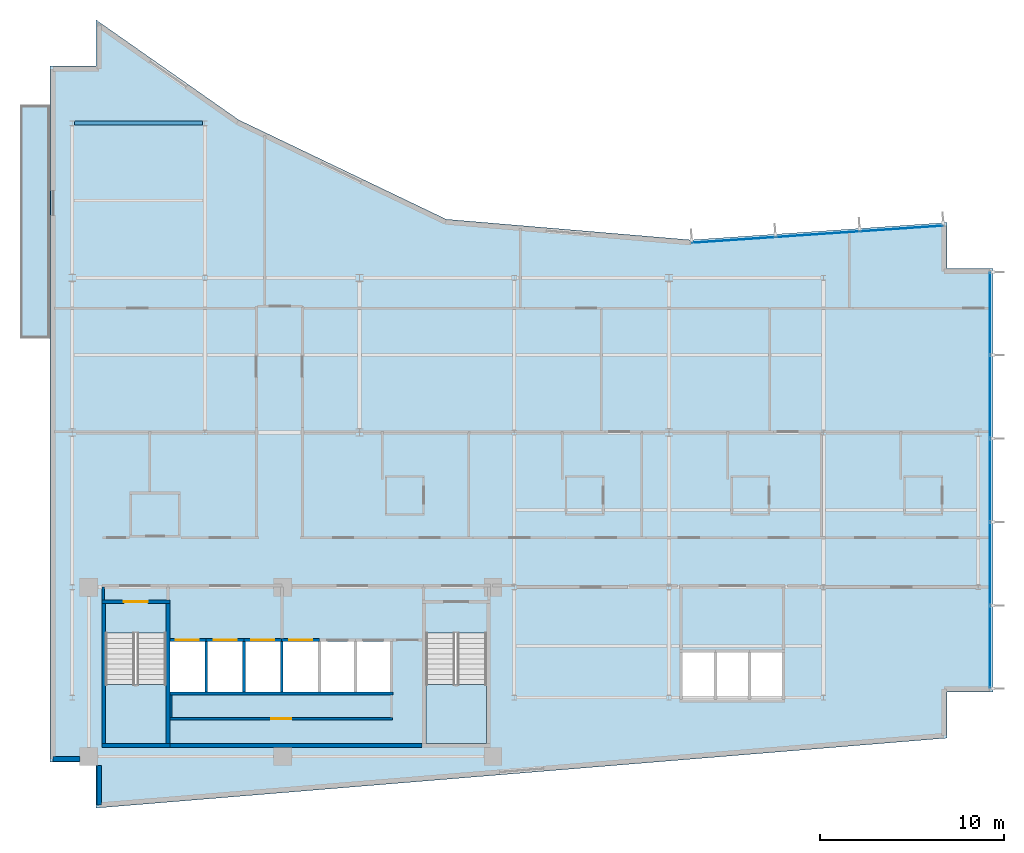
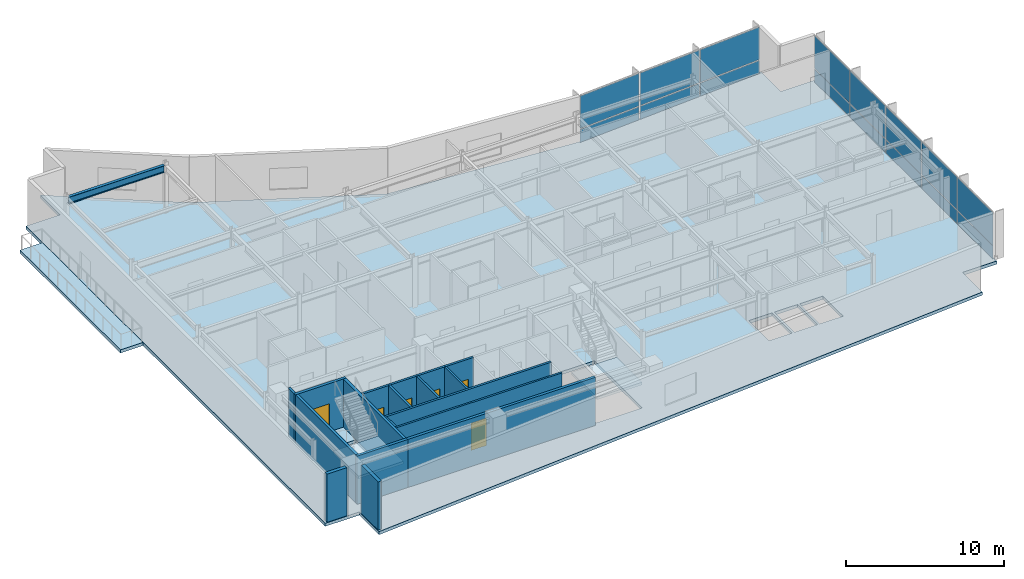
# One storey, part 10 of 17: 18 walls, 16 plates, 6 doors, 4 slabs, 1 beam, 6 openings, 4 elements without a shape of their own.
"""IFC4 building model written with IfcOpenShell, lengths in metres."""

from ifc_helpers import new_model, si_unit, direction, frame, frame_2d, origin, origin_2d, place, context, subcontext, project, spatial, polyline, rectangle, i_section, outline, extrude, material, layer, layer_set, material_profile, profile_set, type_object, element, fill, aggregate, save


model = new_model("IFC4")

# Units and contexts
model_context = context("Model", 3, precision=1e-05, world=origin(), true_north=direction((0.0, 1.0)))
body_context = subcontext(model_context, "Body", "Model", "MODEL_VIEW")
ifc_project = project(units=[si_unit("LENGTHUNIT", "METRE"), si_unit("AREAUNIT", "SQUARE_METRE"), si_unit("VOLUMEUNIT", "CUBIC_METRE"), si_unit("PLANEANGLEUNIT", "RADIAN"), si_unit("MASSUNIT", "GRAM", prefix="KILO")], contexts=[model_context])

# Site, building, storey
site_placement = place(None, origin())
site = spatial("IfcSite", under=ifc_project, at=site_placement, CompositionType="ELEMENT")
building_placement = place(site_placement, origin())
building = spatial("IfcBuilding", under=site, at=building_placement, Name="Varnakote Quay Hospital", CompositionType="ELEMENT")
storey_placement = place(building_placement, frame((0.0, 0.0, 184.199951171875)))
storey = spatial("IfcBuildingStorey", under=building, at=storey_placement, Name="L45", CompositionType="ELEMENT", Elevation=184.199951171875)

# Beam
ifc_material_1 = material(Name="Structural steel AS/NZS 3679.1 Grade 350 L0 (fy 340 MPa)", Category="steel")
ifc_material_profile = material_profile(ifc_material_1, i_section(OverallWidth=0.208984375, OverallDepth=0.532958984375, WebThickness=0.01025390625, FlangeThickness=0.015625, FilletRadius=0.013916015625, at=origin_2d()), Name="530UB92.4")
ifc_profile_set = profile_set([ifc_material_profile], Name="Structural steel AS/NZS 3679.1 Grade 350 L0 (fy 340 MPa)")
beam_type = type_object("IfcBeamType", Name="BM-STL-530UB92-4", PredefinedType="BEAM", material=ifc_profile_set)
beam_placement = place(storey_placement, frame((1.327880859375, 37.199951171875, 3.443603515625), z_axis=(1.0, 0.0, 0.0), x_axis=(0.0, 1.0, 0.0)))
element("IfcBeam", 1, at=beam_placement, inside=storey, type_object=beam_type, Name="L45 Primary Floor Beam", PredefinedType="BEAM", context=body_context, shape_type="SweptSolid", body=[
    extrude(i_section(OverallWidth=0.208984375, OverallDepth=0.532958984375, WebThickness=0.01025390625, FlangeThickness=0.015625, FilletRadius=0.013916015625, at=origin_2d()), origin(), (0.0, 0.0, 1.0), 6.944091796875),
])

# Curtain wall, plates
ifc_material_2 = material(Name="Anodised aluminium 6063-T6 Bronze", Category="aluminium")
ifc_layer_1 = layer(ifc_material_2, 0.219970703125)
ifc_layer_set_1 = layer_set([ifc_layer_1], Name="Anodised aluminium 6063-T6 Bronze")
curtain_wall_type = type_object("IfcCurtainWallType", Name="CW-SYS-4", PredefinedType="NOTDEFINED", material=ifc_layer_set_1)
curtain_wall_1_placement = place(storey_placement, origin())
curtain_wall_1 = element("IfcCurtainWall", 2, at=curtain_wall_1_placement, inside=storey, type_object=curtain_wall_type, Name="L45 Unitised Bronze Curtain Wall 1", PredefinedType="NOTDEFINED")
ifc_material_3 = material(Name="Double-glazed low-E solar glass", Category="glass")
ifc_layer_2 = layer(ifc_material_3, 0.028076171875)
ifc_layer_set_2 = layer_set([ifc_layer_2], Name="Double-glazed low-E solar glass")
plate_type = type_object("IfcPlateType", Name="CW-PNL-GLZ-28", PredefinedType="CURTAIN_PANEL", material=ifc_layer_set_2)
plate_1_placement = place(storey_placement, frame((51.0400390625, 8.744140625, 0.065185546875), z_axis=(0.0, 0.0, 1.0), x_axis=(0.0, 1.0, 0.0)))
plate_1 = element("IfcPlate", 3, at=plate_1_placement, type_object=plate_type, Name="-4-L45-1 panel 1.1", PredefinedType="CURTAIN_PANEL", context=body_context, shape_type="SweptSolid", body=[
    extrude(rectangle(XDim=4.4384765625, YDim=0.028076171875, at=origin_2d()), origin(), (0.0, 0.0, 1.0), 1.00244140625),
])
plate_2_placement = place(storey_placement, frame((51.0400390625, 8.744140625, 1.1328125), z_axis=(0.0, 0.0, 1.0), x_axis=(0.0, 1.0, 0.0)))
plate_2 = element("IfcPlate", 4, at=plate_2_placement, type_object=plate_type, Name="-4-L45-1 panel 1.2", PredefinedType="CURTAIN_PANEL", context=body_context, shape_type="SweptSolid", body=[
    extrude(rectangle(XDim=4.4384765625, YDim=0.028076171875, at=origin_2d()), origin(), (0.0, 0.0, 1.0), 2.512451171875),
])
plate_3_placement = place(storey_placement, frame((51.0400390625, 13.263916015625, 0.065185546875), z_axis=(0.0, 0.0, 1.0), x_axis=(0.0, 1.0, 0.0)))
plate_3 = element("IfcPlate", 5, at=plate_3_placement, type_object=plate_type, Name="-4-L45-1 panel 2.1", PredefinedType="CURTAIN_PANEL", context=body_context, shape_type="SweptSolid", body=[
    extrude(rectangle(XDim=4.470947265625, YDim=0.028076171875, at=origin_2d()), origin(), (0.0, 0.0, 1.0), 1.00244140625),
])
plate_4_placement = place(storey_placement, frame((51.0400390625, 13.263916015625, 1.1328125), z_axis=(0.0, 0.0, 1.0), x_axis=(0.0, 1.0, 0.0)))
plate_4 = element("IfcPlate", 6, at=plate_4_placement, type_object=plate_type, Name="-4-L45-1 panel 2.2", PredefinedType="CURTAIN_PANEL", context=body_context, shape_type="SweptSolid", body=[
    extrude(rectangle(XDim=4.470947265625, YDim=0.028076171875, at=origin_2d()), origin(), (0.0, 0.0, 1.0), 2.512451171875),
])
plate_5_placement = place(storey_placement, frame((51.0400390625, 17.800048828125, 0.065185546875), z_axis=(0.0, 0.0, 1.0), x_axis=(0.0, 1.0, 0.0)))
plate_5 = element("IfcPlate", 7, at=plate_5_placement, type_object=plate_type, Name="-4-L45-1 panel 3.1", PredefinedType="CURTAIN_PANEL", context=body_context, shape_type="SweptSolid", body=[
    extrude(rectangle(XDim=4.470947265625, YDim=0.028076171875, at=origin_2d()), origin(), (0.0, 0.0, 1.0), 1.00244140625),
])
plate_6_placement = place(storey_placement, frame((51.0400390625, 17.800048828125, 1.1328125), z_axis=(0.0, 0.0, 1.0), x_axis=(0.0, 1.0, 0.0)))
plate_6 = element("IfcPlate", 8, at=plate_6_placement, type_object=plate_type, Name="-4-L45-1 panel 3.2", PredefinedType="CURTAIN_PANEL", context=body_context, shape_type="SweptSolid", body=[
    extrude(rectangle(XDim=4.470947265625, YDim=0.028076171875, at=origin_2d()), origin(), (0.0, 0.0, 1.0), 2.512451171875),
])
plate_7_placement = place(storey_placement, frame((51.0400390625, 22.3359375, 0.065185546875), z_axis=(0.0, 0.0, 1.0), x_axis=(0.0, 1.0, 0.0)))
plate_7 = element("IfcPlate", 9, at=plate_7_placement, type_object=plate_type, Name="-4-L45-1 panel 4.1", PredefinedType="CURTAIN_PANEL", context=body_context, shape_type="SweptSolid", body=[
    extrude(rectangle(XDim=4.470947265625, YDim=0.028076171875, at=origin_2d()), origin(), (0.0, 0.0, 1.0), 1.00244140625),
])
plate_8_placement = place(storey_placement, frame((51.0400390625, 22.3359375, 1.1328125), z_axis=(0.0, 0.0, 1.0), x_axis=(0.0, 1.0, 0.0)))
plate_8 = element("IfcPlate", 10, at=plate_8_placement, type_object=plate_type, Name="-4-L45-1 panel 4.2", PredefinedType="CURTAIN_PANEL", context=body_context, shape_type="SweptSolid", body=[
    extrude(rectangle(XDim=4.470947265625, YDim=0.028076171875, at=origin_2d()), origin(), (0.0, 0.0, 1.0), 2.512451171875),
])
plate_9_placement = place(storey_placement, frame((51.0400390625, 26.855712890625, 0.065185546875), z_axis=(0.0, 0.0, 1.0), x_axis=(0.0, 1.0, 0.0)))
plate_9 = element("IfcPlate", 11, at=plate_9_placement, type_object=plate_type, Name="-4-L45-1 panel 5.1", PredefinedType="CURTAIN_PANEL", context=body_context, shape_type="SweptSolid", body=[
    extrude(rectangle(XDim=4.4384765625, YDim=0.028076171875, at=origin_2d()), origin(), (0.0, 0.0, 1.0), 1.00244140625),
])
plate_10_placement = place(storey_placement, frame((51.0400390625, 26.855712890625, 1.1328125), z_axis=(0.0, 0.0, 1.0), x_axis=(0.0, 1.0, 0.0)))
plate_10 = element("IfcPlate", 12, at=plate_10_placement, type_object=plate_type, Name="-4-L45-1 panel 5.2", PredefinedType="CURTAIN_PANEL", context=body_context, shape_type="SweptSolid", body=[
    extrude(rectangle(XDim=4.4384765625, YDim=0.028076171875, at=origin_2d()), origin(), (0.0, 0.0, 1.0), 2.512451171875),
])
aggregate(curtain_wall_1, [plate_1, plate_2, plate_3, plate_4, plate_5, plate_6, plate_7, plate_8, plate_9, plate_10])

curtain_wall_2_placement = place(storey_placement, origin())
curtain_wall_2 = element("IfcCurtainWall", 13, at=curtain_wall_2_placement, inside=storey, type_object=curtain_wall_type, Name="L45 Unitised Bronze Curtain Wall 2", PredefinedType="NOTDEFINED")
plate_11_placement = place(storey_placement, frame((46.236328125, 31.47216796875, 0.065185546875), z_axis=(0.0, 0.0, 1.0), x_axis=(-0.997696087615, -0.067841851077, 0.0)))
plate_11 = element("IfcPlate", 14, at=plate_11_placement, type_object=plate_type, Name="-4-L45-2 panel 1.1", PredefinedType="CURTAIN_PANEL", context=body_context, shape_type="SweptSolid", body=[
    extrude(rectangle(XDim=4.48828125, YDim=0.028076171875, at=origin_2d()), origin(), (0.0, 0.0, 1.0), 1.00244140625),
])
plate_12_placement = place(storey_placement, frame((46.236328125, 31.47216796875, 1.1328125), z_axis=(0.0, 0.0, 1.0), x_axis=(-0.997696087615, -0.067841851077, 0.0)))
plate_12 = element("IfcPlate", 15, at=plate_12_placement, type_object=plate_type, Name="-4-L45-2 panel 1.2", PredefinedType="CURTAIN_PANEL", context=body_context, shape_type="SweptSolid", body=[
    extrude(rectangle(XDim=4.48828125, YDim=0.028076171875, at=origin_2d()), origin(), (0.0, 0.0, 1.0), 2.512451171875),
])
plate_13_placement = place(storey_placement, frame((41.67724609375, 31.162109375, 0.065185546875), z_axis=(0.0, 0.0, 1.0), x_axis=(-0.997696087615, -0.067841851077, 0.0)))
plate_13 = element("IfcPlate", 16, at=plate_13_placement, type_object=plate_type, Name="-4-L45-2 panel 2.1", PredefinedType="CURTAIN_PANEL", context=body_context, shape_type="SweptSolid", body=[
    extrude(rectangle(XDim=4.520751953125, YDim=0.028076171875, at=origin_2d()), origin(), (0.0, 0.0, 1.0), 1.00244140625),
])
plate_14_placement = place(storey_placement, frame((41.67724609375, 31.162109375, 1.1328125), z_axis=(0.0, 0.0, 1.0), x_axis=(-0.997696087615, -0.067841851077, 0.0)))
plate_14 = element("IfcPlate", 17, at=plate_14_placement, type_object=plate_type, Name="-4-L45-2 panel 2.2", PredefinedType="CURTAIN_PANEL", context=body_context, shape_type="SweptSolid", body=[
    extrude(rectangle(XDim=4.520751953125, YDim=0.028076171875, at=origin_2d()), origin(), (0.0, 0.0, 1.0), 2.512451171875),
])
plate_15_placement = place(storey_placement, frame((37.118408203125, 30.85205078125, 0.065185546875), z_axis=(0.0, 0.0, 1.0), x_axis=(-0.997696087615, -0.067841851077, 0.0)))
plate_15 = element("IfcPlate", 18, at=plate_15_placement, type_object=plate_type, Name="-4-L45-2 panel 3.1", PredefinedType="CURTAIN_PANEL", context=body_context, shape_type="SweptSolid", body=[
    extrude(rectangle(XDim=4.48828125, YDim=0.028076171875, at=origin_2d()), origin(), (0.0, 0.0, 1.0), 1.00244140625),
])
plate_16_placement = place(storey_placement, frame((37.118408203125, 30.85205078125, 1.1328125), z_axis=(0.0, 0.0, 1.0), x_axis=(-0.997696087615, -0.067841851077, 0.0)))
plate_16 = element("IfcPlate", 19, at=plate_16_placement, type_object=plate_type, Name="-4-L45-2 panel 3.2", PredefinedType="CURTAIN_PANEL", context=body_context, shape_type="SweptSolid", body=[
    extrude(rectangle(XDim=4.48828125, YDim=0.028076171875, at=origin_2d()), origin(), (0.0, 0.0, 1.0), 2.512451171875),
])
aggregate(curtain_wall_2, [plate_11, plate_12, plate_13, plate_14, plate_15, plate_16])

# Stair, slab
ifc_material_4 = material(Name="Concrete N40 (f'c 40 MPa)", Category="concrete")
stair_type = type_object("IfcStairType", Name="STR-CORE-1580", PredefinedType="HALF_TURN_STAIR", material=ifc_material_4)
stair_1_placement = place(storey_placement, origin())
stair_1 = element("IfcStair", 20, at=stair_1_placement, inside=storey, type_object=stair_type, Name="L45 Fire-Isolated Exit Stair ST-01", PredefinedType="HALF_TURN_STAIR")
ifc_material_5 = material(Name="Concrete N40 (f'c 40 MPa)", Category="concrete")
ifc_layer_3 = layer(ifc_material_5, 0.199951171875)
ifc_layer_set_3 = layer_set([ifc_layer_3], Name="Concrete N40 (f'c 40 MPa)")
slab_type_1 = type_object("IfcSlabType", Name="SLB-STAIR-LND-200", PredefinedType="LANDING", material=ifc_layer_set_3)
slab_1_placement = place(storey_placement, frame((0.0, 0.0, 1.775146484375)))
slab_1 = element("IfcSlab", 21, at=slab_1_placement, type_object=slab_type_1, Name="ST-01 landing 1", PredefinedType="LANDING", context=body_context, shape_type="SweptSolid", body=[
    extrude(outline(polyline([(3.0, 6.699951171875), (3.0, 3.5), (6.300048828125, 3.5), (6.300048828125, 6.699951171875), (3.0, 6.699951171875)])), origin(), (0.0, 0.0, 1.0), 0.199951171875),
])
aggregate(stair_1, [slab_1])

stair_2_placement = place(storey_placement, origin())
stair_2 = element("IfcStair", 22, at=stair_2_placement, inside=storey, type_object=stair_type, Name="L45 Fire-Isolated Exit Stair ST-02", PredefinedType="HALF_TURN_STAIR")
slab_2_placement = place(storey_placement, frame((0.0, 0.0, 1.775146484375)))
slab_2 = element("IfcSlab", 23, at=slab_2_placement, type_object=slab_type_1, Name="ST-02 landing 1", PredefinedType="LANDING", context=body_context, shape_type="SweptSolid", body=[
    extrude(outline(polyline([(20.39990234375, 6.699951171875), (20.39990234375, 3.5), (23.699951171875, 3.5), (23.699951171875, 6.699951171875), (20.39990234375, 6.699951171875)])), origin(), (0.0, 0.0, 1.0), 0.199951171875),
])
aggregate(stair_2, [slab_2])

# Slabs
ifc_material_6 = material(Name="Concrete N50 (f'c 50 MPa)", Category="concrete")
ifc_layer_4 = layer(ifc_material_6, 0.239990234375)
ifc_layer_set_4 = layer_set([ifc_layer_4], Name="Concrete N50 (f'c 50 MPa)")
slab_type_2 = type_object("IfcSlabType", Name="SLB-TERR-200", PredefinedType="FLOOR", material=ifc_layer_set_4)
slab_3_placement = place(storey_placement, frame((0.0, 0.0, -0.239990234375)))
element("IfcSlab", 24, at=slab_3_placement, inside=storey, type_object=slab_type_2, Name="L45 Waterfront Healing Terrace Slab", PredefinedType="FLOOR", context=body_context, shape_type="SweptSolid", body=[
    extrude(outline(polyline([(0.00390625, 25.5), (0.00390625, 38.199951171875), (-1.639892578125, 38.199951171875), (-1.639892578125, 25.5), (0.00390625, 25.5)])), origin(), (0.0, 0.0, 1.0), 0.239990234375),
])
ifc_material_7 = material(Name="Concrete N50 (f'c 50 MPa)", Category="concrete")
ifc_layer_5 = layer(ifc_material_7, 0.239990234375)
ifc_layer_set_5 = layer_set([ifc_layer_5], Name="Concrete N50 (f'c 50 MPa)")
slab_type_3 = type_object("IfcSlabType", Name="SLB-WARD-200", PredefinedType="FLOOR", material=ifc_layer_set_5)
slab_4_placement = place(storey_placement, frame((0.0, 0.0, -0.239990234375)))
element("IfcSlab", 25, at=slab_4_placement, inside=storey, type_object=slab_type_3, Name="L45 Primary Floor Slab", PredefinedType="FLOOR", context=body_context, shape_type="SweptSolid", body=[
    extrude(outline(polyline([(0.0, 2.5), (2.5, 2.5), (2.5, 0.0), (48.699951171875, 3.800048828125), (48.699951171875, 6.300048828125), (51.199951171875, 6.300048828125), (51.199951171875, 29.300048828125), (48.699951171875, 29.300048828125), (48.699951171875, 31.800048828125), (34.81591796875, 30.85595703125), (21.50390625, 31.97998046875), (10.239990234375, 37.3759765625), (2.5, 42.800048828125), (2.5, 40.300048828125), (0.0, 40.300048828125), (0.0, 2.5)]), holes=[polyline([(3.0, 3.5), (6.300048828125, 3.5), (6.300048828125, 9.49951171875), (3.0, 9.49951171875), (3.0, 3.5)]), polyline([(20.39990234375, 3.5), (23.699951171875, 3.5), (23.699951171875, 9.49951171875), (20.39990234375, 9.49951171875), (20.39990234375, 3.5)]), polyline([(6.5, 6.300048828125), (8.39990234375, 6.300048828125), (8.39990234375, 9.050048828125), (6.5, 9.050048828125), (6.5, 6.300048828125)]), polyline([(8.550048828125, 6.300048828125), (10.449951171875, 6.300048828125), (10.449951171875, 9.050048828125), (8.550048828125, 9.050048828125), (8.550048828125, 6.300048828125)]), polyline([(10.60009765625, 6.300048828125), (12.5, 6.300048828125), (12.5, 9.050048828125), (10.60009765625, 9.050048828125), (10.60009765625, 6.300048828125)]), polyline([(12.64990234375, 6.300048828125), (14.550048828125, 6.300048828125), (14.550048828125, 9.050048828125), (12.64990234375, 9.050048828125), (12.64990234375, 6.300048828125)]), polyline([(14.699951171875, 6.300048828125), (16.5, 6.300048828125), (16.5, 9.050048828125), (14.699951171875, 9.050048828125), (14.699951171875, 6.300048828125)]), polyline([(16.64990234375, 6.300048828125), (18.449951171875, 6.300048828125), (18.449951171875, 9.050048828125), (16.64990234375, 9.050048828125), (16.64990234375, 6.300048828125)]), polyline([(34.35009765625, 5.89990234375), (36.050048828125, 5.89990234375), (36.050048828125, 8.449951171875), (34.35009765625, 8.449951171875), (34.35009765625, 5.89990234375)]), polyline([(36.199951171875, 5.89990234375), (37.89990234375, 5.89990234375), (37.89990234375, 8.449951171875), (36.199951171875, 8.449951171875), (36.199951171875, 5.89990234375)]), polyline([(38.050048828125, 5.89990234375), (39.75, 5.89990234375), (39.75, 8.449951171875), (38.050048828125, 8.449951171875), (38.050048828125, 5.89990234375)])]), origin(), (0.0, 0.0, 1.0), 0.239990234375),
])

# Walls
ifc_material_8 = material(Name="Fire-rated acoustic gypsum stud wall", Category="gypsum")
ifc_layer_6 = layer(ifc_material_8, 0.159912109375)
ifc_layer_set_6 = layer_set([ifc_layer_6], Name="Fire-rated acoustic gypsum stud wall")
wall_type_1 = type_object("IfcWallType", Name="WL-COMP-160", PredefinedType="PARTITIONING", material=ifc_layer_set_6)
wall_1_placement = place(storey_placement, frame((2.8798828125, 11.300048828125, 0.0), z_axis=(0.0, 0.0, 1.0), x_axis=(0.0, 1.0, 0.0)))
element("IfcWall", 26, at=wall_1_placement, inside=storey, type_object=wall_type_1, Name="L45 West Stair Vestibule West Wall", PredefinedType="PARTITIONING", context=body_context, shape_type="SweptSolid", body=[
    extrude(rectangle(XDim=0.699951171875, YDim=0.159912109375, at=frame_2d((0.35009765625, 0.0))), origin(), (0.0, 0.0, 1.0), 3.7099609375),
])
ifc_material_9 = material(Name="Concrete N50 (f'c 50 MPa)", Category="concrete")
ifc_layer_7 = layer(ifc_material_9, 0.199951171875)
ifc_layer_set_7 = layer_set([ifc_layer_7], Name="Concrete N50 (f'c 50 MPa)")
wall_type_2 = type_object("IfcWallType", Name="WL-CORE-N50-200", PredefinedType="SHEAR", material=ifc_layer_set_7)
wall_2_placement = place(storey_placement, frame((6.5, 3.39990234375, 0.0), z_axis=(0.0, 0.0, 1.0), x_axis=(1.0, 0.0, 0.0)))
element("IfcWall", 27, at=wall_2_placement, inside=storey, type_object=wall_type_2, Name="L45 Rear Core South Shear Wall", PredefinedType="SHEAR", context=body_context, shape_type="SweptSolid", body=[
    extrude(rectangle(XDim=13.699951171875, YDim=0.199951171875, at=frame_2d((6.85009765625, 0.0))), origin(), (0.0, 0.0, 1.0), 3.7099609375),
])
ifc_material_10 = material(Name="Precast concrete N50 (f'c 50 MPa)", Category="concrete")
ifc_layer_8 = layer(ifc_material_10, 0.260009765625)
ifc_layer_set_8 = layer_set([ifc_layer_8], Name="Precast concrete N50 (f'c 50 MPa)")
wall_type_3 = type_object("IfcWallType", Name="WL-EXT-BRICK-260", PredefinedType="STANDARD", material=ifc_layer_set_8)
wall_3_placement = place(storey_placement, frame((2.659912109375, 2.31494140625, 0.0), z_axis=(0.0, 0.0, 1.0), x_axis=(0.0, -1.0, 0.0)))
element("IfcWall", 28, at=wall_3_placement, inside=storey, type_object=wall_type_3, Name="L45 Brick-Faced Precast Exterior Wall", PredefinedType="STANDARD", context=body_context, shape_type="SweptSolid", body=[
    extrude(rectangle(XDim=2.141357421875, YDim=0.260009765625, at=frame_2d((1.07080078125, 0.0))), origin(), (0.0, 0.0, 1.0), 3.7099609375),
])
wall_4_placement = place(storey_placement, frame((0.159912109375, 2.659912109375, 0.0), z_axis=(0.0, 0.0, 1.0), x_axis=(1.0, 0.0, 0.0)))
element("IfcWall", 29, at=wall_4_placement, inside=storey, type_object=wall_type_3, Name="L45 Brick-Faced Precast Exterior Wall", PredefinedType="STANDARD", context=body_context, shape_type="SweptSolid", body=[
    extrude(rectangle(XDim=1.455078125, YDim=0.260009765625, at=frame_2d((0.7275390625, 0.0))), origin(), (0.0, 0.0, 1.0), 3.7099609375),
])
ifc_material_11 = material(Name="Concrete N50 (f'c 50 MPa)", Category="concrete")
ifc_layer_9 = layer(ifc_material_11, 0.14990234375)
ifc_layer_set_9 = layer_set([ifc_layer_9], Name="Concrete N50 (f'c 50 MPa)")
wall_type_4 = type_object("IfcWallType", Name="WL-SHAFT-N50-150", PredefinedType="SHEAR", material=ifc_layer_set_9)
for number, where, z_axis, x_axis, name in (
    (30, (8.47509765625, 6.300048828125, 0.0), (0.0, 0.0, 1.0), (0.0, 1.0, 0.0), "L45 LF-FF1 Hoistway Divider Wall"),
    (31, (10.52490234375, 6.300048828125, 0.0), (0.0, 0.0, 1.0), (0.0, 1.0, 0.0), "L45 LF-FF2 Hoistway Divider Wall"),
    (32, (12.574951171875, 6.300048828125, 0.0), (0.0, 0.0, 1.0), (0.0, 1.0, 0.0), "L45 LF-SV1 Hoistway Divider Wall"),
):
    element("IfcWall", number, at=place(storey_placement, frame(where, z_axis=z_axis, x_axis=x_axis)), inside=storey, type_object=wall_type_4, Name=name, PredefinedType="SHEAR", context=body_context, shape_type="SweptSolid", body=[
        extrude(rectangle(XDim=2.75, YDim=0.14990234375, at=frame_2d((1.375, 0.0))), origin(), (0.0, 0.0, 1.0), 3.7099609375),
    ])
ifc_material_12 = material(Name="Concrete N50 (f'c 50 MPa)", Category="concrete")
ifc_layer_10 = layer(ifc_material_12, 0.159912109375)
ifc_layer_set_10 = layer_set([ifc_layer_10], Name="Concrete N50 (f'c 50 MPa)")
wall_type_5 = type_object("IfcWallType", Name="WL-SHAFT-N50-160", PredefinedType="SHEAR", material=ifc_layer_set_10)
wall_5_placement = place(storey_placement, frame((6.5, 6.219970703125, 0.0), z_axis=(0.0, 0.0, 1.0), x_axis=(1.0, 0.0, 0.0)))
element("IfcWall", 33, at=wall_5_placement, inside=storey, type_object=wall_type_5, Name="L45 REAR Lift Bank Back Shear Wall", PredefinedType="SHEAR", context=body_context, shape_type="SweptSolid", body=[
    extrude(rectangle(XDim=12.110107421875, YDim=0.159912109375, at=frame_2d((6.05517578125, 0.0))), origin(), (0.0, 0.0, 1.0), 3.7099609375),
])

# Wall, opening, door
wall_6_placement = place(storey_placement, frame((6.5, 9.1298828125, 0.0), z_axis=(0.0, 0.0, 1.0), x_axis=(1.0, 0.0, 0.0)))
wall_6 = element("IfcWall", 34, at=wall_6_placement, inside=storey, type_object=wall_type_5, Name="L45 LF-FF1 Hoistway Front Wall", PredefinedType="SHEAR", context=body_context, shape_type="SweptSolid", body=[
    extrude(rectangle(XDim=1.97509765625, YDim=0.159912109375, at=frame_2d((0.987548828125, 0.0))), origin(), (0.0, 0.0, 1.0), 3.7099609375),
])
opening_1_placement = place(wall_6_placement, frame((0.324951171875, 0.0, 0.0)))
opening_1 = element("IfcOpeningElement", 35, at=opening_1_placement, cuts=wall_6, Name="Opening LD-FF1-L45", PredefinedType="OPENING", context=body_context, shape_type="SweptSolid", body=[
    extrude(rectangle(XDim=1.25, YDim=2.14990234375, at=frame_2d((0.625, 1.074951171875))), frame((0.0, 0.08984375, 0.0), z_axis=(0.0, -1.0, 0.0), x_axis=(1.0, 0.0, 0.0)), (0.0, 0.0, 1.0), 0.179931640625),
])
ifc_material_13 = material(Name="Stainless steel lift landing sliding door", Category="steel")
door_type_1 = type_object("IfcDoorType", Name="DR-LIFT-LD-1250x2150", OperationType="NOTDEFINED", PredefinedType="DOOR", material=ifc_material_13)
door_1_placement = place(opening_1_placement, origin())
door_1 = element("IfcDoor", 36, at=door_1_placement, inside=storey, type_object=door_type_1, Name="L45 LF-FF1 Lift Landing Sliding Door", OperationType="SLIDING_TO_LEFT", OverallHeight=2.14990234375, OverallWidth=1.25, PredefinedType="DOOR", context=body_context, shape_type="SweptSolid", body=[
    extrude(rectangle(XDim=1.25, YDim=2.14990234375, at=frame_2d((0.625, 1.074951171875))), frame((0.0, 0.02490234375, 0.0), z_axis=(0.0, -1.0, 0.0), x_axis=(1.0, 0.0, 0.0)), (0.0, 0.0, 1.0), 0.050048828125),
])
fill(opening_1, door_1)

wall_7_placement = place(storey_placement, frame((8.47509765625, 9.1298828125, 0.0), z_axis=(0.0, 0.0, 1.0), x_axis=(1.0, 0.0, 0.0)))
wall_7 = element("IfcWall", 37, at=wall_7_placement, inside=storey, type_object=wall_type_5, Name="L45 LF-FF2 Hoistway Front Wall", PredefinedType="SHEAR", context=body_context, shape_type="SweptSolid", body=[
    extrude(rectangle(XDim=2.0498046875, YDim=0.159912109375, at=frame_2d((1.02490234375, 0.0))), origin(), (0.0, 0.0, 1.0), 3.7099609375),
])
opening_2_placement = place(wall_7_placement, frame((0.39990234375, 0.0, 0.0)))
opening_2 = element("IfcOpeningElement", 38, at=opening_2_placement, cuts=wall_7, Name="Opening LD-FF2-L45", PredefinedType="OPENING", context=body_context, shape_type="SweptSolid", body=[
    extrude(rectangle(XDim=1.25, YDim=2.14990234375, at=frame_2d((0.625, 1.074951171875))), frame((0.0, 0.08984375, 0.0), z_axis=(0.0, -1.0, 0.0), x_axis=(1.0, 0.0, 0.0)), (0.0, 0.0, 1.0), 0.179931640625),
])
door_2_placement = place(opening_2_placement, origin())
door_2 = element("IfcDoor", 39, at=door_2_placement, inside=storey, type_object=door_type_1, Name="L45 LF-FF2 Lift Landing Sliding Door", OperationType="SLIDING_TO_LEFT", OverallHeight=2.14990234375, OverallWidth=1.25, PredefinedType="DOOR", context=body_context, shape_type="SweptSolid", body=[
    extrude(rectangle(XDim=1.25, YDim=2.14990234375, at=frame_2d((0.625, 1.074951171875))), frame((0.0, 0.02490234375, 0.0), z_axis=(0.0, -1.0, 0.0), x_axis=(1.0, 0.0, 0.0)), (0.0, 0.0, 1.0), 0.050048828125),
])
fill(opening_2, door_2)

wall_8_placement = place(storey_placement, frame((10.52490234375, 9.1298828125, 0.0), z_axis=(0.0, 0.0, 1.0), x_axis=(1.0, 0.0, 0.0)))
wall_8 = element("IfcWall", 40, at=wall_8_placement, inside=storey, type_object=wall_type_5, Name="L45 LF-SV1 Hoistway Front Wall", PredefinedType="SHEAR", context=body_context, shape_type="SweptSolid", body=[
    extrude(rectangle(XDim=2.050048828125, YDim=0.159912109375, at=frame_2d((1.02490234375, 0.0))), origin(), (0.0, 0.0, 1.0), 3.7099609375),
])
opening_3_placement = place(wall_8_placement, frame((0.39990234375, 0.0, 0.0)))
opening_3 = element("IfcOpeningElement", 41, at=opening_3_placement, cuts=wall_8, Name="Opening LD-SV1-L45", PredefinedType="OPENING", context=body_context, shape_type="SweptSolid", body=[
    extrude(rectangle(XDim=1.25, YDim=2.14990234375, at=frame_2d((0.625, 1.074951171875))), frame((0.0, 0.08984375, 0.0), z_axis=(0.0, -1.0, 0.0), x_axis=(1.0, 0.0, 0.0)), (0.0, 0.0, 1.0), 0.179931640625),
])
door_3_placement = place(opening_3_placement, origin())
door_3 = element("IfcDoor", 42, at=door_3_placement, inside=storey, type_object=door_type_1, Name="L45 LF-SV1 Lift Landing Sliding Door", OperationType="SLIDING_TO_LEFT", OverallHeight=2.14990234375, OverallWidth=1.25, PredefinedType="DOOR", context=body_context, shape_type="SweptSolid", body=[
    extrude(rectangle(XDim=1.25, YDim=2.14990234375, at=frame_2d((0.625, 1.074951171875))), frame((0.0, 0.02490234375, 0.0), z_axis=(0.0, -1.0, 0.0), x_axis=(1.0, 0.0, 0.0)), (0.0, 0.0, 1.0), 0.050048828125),
])
fill(opening_3, door_3)

wall_9_placement = place(storey_placement, frame((12.574951171875, 9.1298828125, 0.0), z_axis=(0.0, 0.0, 1.0), x_axis=(1.0, 0.0, 0.0)))
wall_9 = element("IfcWall", 43, at=wall_9_placement, inside=storey, type_object=wall_type_5, Name="L45 LF-SV2 Hoistway Front Wall", PredefinedType="SHEAR", context=body_context, shape_type="SweptSolid", body=[
    extrude(rectangle(XDim=2.050048828125, YDim=0.159912109375, at=frame_2d((1.02490234375, 0.0))), origin(), (0.0, 0.0, 1.0), 3.7099609375),
])
opening_4_placement = place(wall_9_placement, frame((0.39990234375, 0.0, 0.0)))
opening_4 = element("IfcOpeningElement", 44, at=opening_4_placement, cuts=wall_9, Name="Opening LD-SV2-L45", PredefinedType="OPENING", context=body_context, shape_type="SweptSolid", body=[
    extrude(rectangle(XDim=1.25, YDim=2.14990234375, at=frame_2d((0.625, 1.074951171875))), frame((0.0, 0.08984375, 0.0), z_axis=(0.0, -1.0, 0.0), x_axis=(1.0, 0.0, 0.0)), (0.0, 0.0, 1.0), 0.179931640625),
])
door_4_placement = place(opening_4_placement, origin())
door_4 = element("IfcDoor", 45, at=door_4_placement, inside=storey, type_object=door_type_1, Name="L45 LF-SV2 Lift Landing Sliding Door", OperationType="SLIDING_TO_LEFT", OverallHeight=2.14990234375, OverallWidth=1.25, PredefinedType="DOOR", context=body_context, shape_type="SweptSolid", body=[
    extrude(rectangle(XDim=1.25, YDim=2.14990234375, at=frame_2d((0.625, 1.074951171875))), frame((0.0, 0.02490234375, 0.0), z_axis=(0.0, -1.0, 0.0), x_axis=(1.0, 0.0, 0.0)), (0.0, 0.0, 1.0), 0.050048828125),
])
fill(opening_4, door_4)

# Walls
ifc_material_14 = material(Name="Concrete N50 (f'c 50 MPa)", Category="concrete")
ifc_layer_11 = layer(ifc_material_14, 0.199951171875)
ifc_layer_set_11 = layer_set([ifc_layer_11], Name="Concrete N50 (f'c 50 MPa)")
wall_type_6 = type_object("IfcWallType", Name="WL-SHAFT-N50-200", PredefinedType="SHEAR", material=ifc_layer_set_11)
wall_10_placement = place(storey_placement, frame((2.800048828125, 3.39990234375, 0.0), z_axis=(0.0, 0.0, 1.0), x_axis=(1.0, 0.0, 0.0)))
element("IfcWall", 46, at=wall_10_placement, inside=storey, type_object=wall_type_6, Name="L45 Stair ST1 South Shaft Wall", PredefinedType="SHEAR", context=body_context, shape_type="SweptSolid", body=[
    extrude(rectangle(XDim=3.699951171875, YDim=0.199951171875, at=frame_2d((1.85009765625, 0.0))), origin(), (0.0, 0.0, 1.0), 3.7099609375),
])
for number, where, z_axis, x_axis, name in (
    (47, (2.89990234375, 3.5, 0.0), (0.0, 0.0, 1.0), (0.0, 1.0, 0.0), "L45 Stair ST1 West Shaft Wall"),
    (48, (6.39990234375, 3.5, 0.0), (0.0, 0.0, 1.0), (0.0, 1.0, 0.0), "L45 Stair ST1 East Shaft Wall"),
):
    element("IfcWall", number, at=place(storey_placement, frame(where, z_axis=z_axis, x_axis=x_axis)), inside=storey, type_object=wall_type_6, Name=name, PredefinedType="SHEAR", context=body_context, shape_type="SweptSolid", body=[
        extrude(rectangle(XDim=7.60009765625, YDim=0.199951171875, at=frame_2d((3.800048828125, 0.0))), origin(), (0.0, 0.0, 1.0), 3.7099609375),
    ])

# Wall, opening, door
wall_11_placement = place(storey_placement, frame((2.800048828125, 11.199951171875, 0.0), z_axis=(0.0, 0.0, 1.0), x_axis=(1.0, 0.0, 0.0)))
wall_11 = element("IfcWall", 49, at=wall_11_placement, inside=storey, type_object=wall_type_6, Name="L45 Stair ST1 Exit Wall", PredefinedType="SHEAR", context=body_context, shape_type="SweptSolid", body=[
    extrude(rectangle(XDim=3.699951171875, YDim=0.199951171875, at=frame_2d((1.85009765625, 0.0))), origin(), (0.0, 0.0, 1.0), 3.7099609375),
])
opening_5_placement = place(wall_11_placement, frame((1.199951171875, 0.0, 0.0)))
opening_5 = element("IfcOpeningElement", 50, at=opening_5_placement, cuts=wall_11, Name="Opening D-ST1-L45", PredefinedType="OPENING", context=body_context, shape_type="SweptSolid", body=[
    extrude(rectangle(XDim=1.300048828125, YDim=2.14990234375, at=frame_2d((0.64990234375, 1.074951171875))), frame((0.0, 0.10986328125, 0.0), z_axis=(0.0, -1.0, 0.0), x_axis=(1.0, 0.0, 0.0)), (0.0, 0.0, 1.0), 0.219970703125),
])
ifc_material_15 = material(Name="Fire-rated ceramic-glazed timber exit door", Category="wood")
door_type_2 = type_object("IfcDoorType", Name="DR-STAIR-FD60S-1300x2150", OperationType="NOTDEFINED", PredefinedType="DOOR", material=ifc_material_15)
door_5_placement = place(opening_5_placement, origin())
door_5 = element("IfcDoor", 51, at=door_5_placement, inside=storey, type_object=door_type_2, Name="L45 Stair ST1 Fire Exit Door", OperationType="SINGLE_SWING_LEFT", OverallHeight=2.14990234375, OverallWidth=1.300048828125, PredefinedType="DOOR", context=body_context, shape_type="SweptSolid", body=[
    extrude(rectangle(XDim=1.300048828125, YDim=2.14990234375, at=frame_2d((0.64990234375, 1.074951171875))), frame((0.0, 0.02490234375, 0.0), z_axis=(0.0, -1.0, 0.0), x_axis=(1.0, 0.0, 0.0)), (0.0, 0.0, 1.0), 0.050048828125),
])
fill(opening_5, door_5)

# Wall
ifc_material_16 = material(Name="Smoke-proof clinical partition", Category="gypsum")
ifc_layer_12 = layer(ifc_material_16, 0.1201171875)
ifc_layer_set_12 = layer_set([ifc_layer_12], Name="Smoke-proof clinical partition")
wall_type_7 = type_object("IfcWallType", Name="WL-SMOKE-120", PredefinedType="PARTITIONING", material=ifc_layer_set_12)
wall_12_placement = place(storey_placement, frame((6.56005859375, 4.919921875, 0.0), z_axis=(0.0, 0.0, 1.0), x_axis=(0.0, 1.0, 0.0)))
element("IfcWall", 52, at=wall_12_placement, inside=storey, type_object=wall_type_7, Name="L45 Core Service Strip West Wall", PredefinedType="PARTITIONING", context=body_context, shape_type="SweptSolid", body=[
    extrude(rectangle(XDim=1.219970703125, YDim=0.1201171875, at=frame_2d((0.60986328125, 0.0))), origin(), (0.0, 0.0, 1.0), 3.7099609375),
])

# Wall, opening, door
ifc_material_17 = material(Name="Fire-rated clinical gypsum partition", Category="gypsum")
ifc_layer_13 = layer(ifc_material_17, 0.139892578125)
ifc_layer_set_13 = layer_set([ifc_layer_13], Name="Fire-rated clinical gypsum partition")
wall_type_8 = type_object("IfcWallType", Name="WL-WARD-140", PredefinedType="PARTITIONING", material=ifc_layer_set_13)
wall_13_placement = place(storey_placement, frame((6.5, 4.85009765625, 0.0), z_axis=(0.0, 0.0, 1.0), x_axis=(1.0, 0.0, 0.0)))
wall_13 = element("IfcWall", 53, at=wall_13_placement, inside=storey, type_object=wall_type_8, Name="L45 Core Clean Linen Store South Wall", PredefinedType="PARTITIONING", context=body_context, shape_type="SweptSolid", body=[
    extrude(rectangle(XDim=12.10009765625, YDim=0.139892578125, at=frame_2d((6.050048828125, 0.0))), origin(), (0.0, 0.0, 1.0), 3.7099609375),
])
opening_6_placement = place(wall_13_placement, frame((5.5, 0.0, 0.0)))
opening_6 = element("IfcOpeningElement", 54, at=opening_6_placement, cuts=wall_13, Name="Opening D-L45-CR01", PredefinedType="OPENING", context=body_context, shape_type="SweptSolid", body=[
    extrude(rectangle(XDim=1.10009765625, YDim=2.10009765625, at=frame_2d((0.550048828125, 1.050048828125))), frame((0.0, 0.079833984375, 0.0), z_axis=(0.0, -1.0, 0.0), x_axis=(1.0, 0.0, 0.0)), (0.0, 0.0, 1.0), 0.159912109375),
])
ifc_material_18 = material(Name="Acoustic timber clinical consult door", Category="wood")
door_type_3 = type_object("IfcDoorType", Name="DR-CLIN-FD30S-1100x2100", OperationType="NOTDEFINED", PredefinedType="DOOR", material=ifc_material_18)
door_6_placement = place(opening_6_placement, origin())
door_6 = element("IfcDoor", 55, at=door_6_placement, inside=storey, type_object=door_type_3, Name="L45 Core Clean Linen Store Door", OperationType="SINGLE_SWING_LEFT", OverallHeight=2.10009765625, OverallWidth=1.10009765625, PredefinedType="DOOR", context=body_context, shape_type="SweptSolid", body=[
    extrude(rectangle(XDim=1.10009765625, YDim=2.10009765625, at=frame_2d((0.550048828125, 1.050048828125))), frame((0.0, 0.02490234375, 0.0), z_axis=(0.0, -1.0, 0.0), x_axis=(1.0, 0.0, 0.0)), (0.0, 0.0, 1.0), 0.050048828125),
])
fill(opening_6, door_6)

save(model, "model.ifc")
